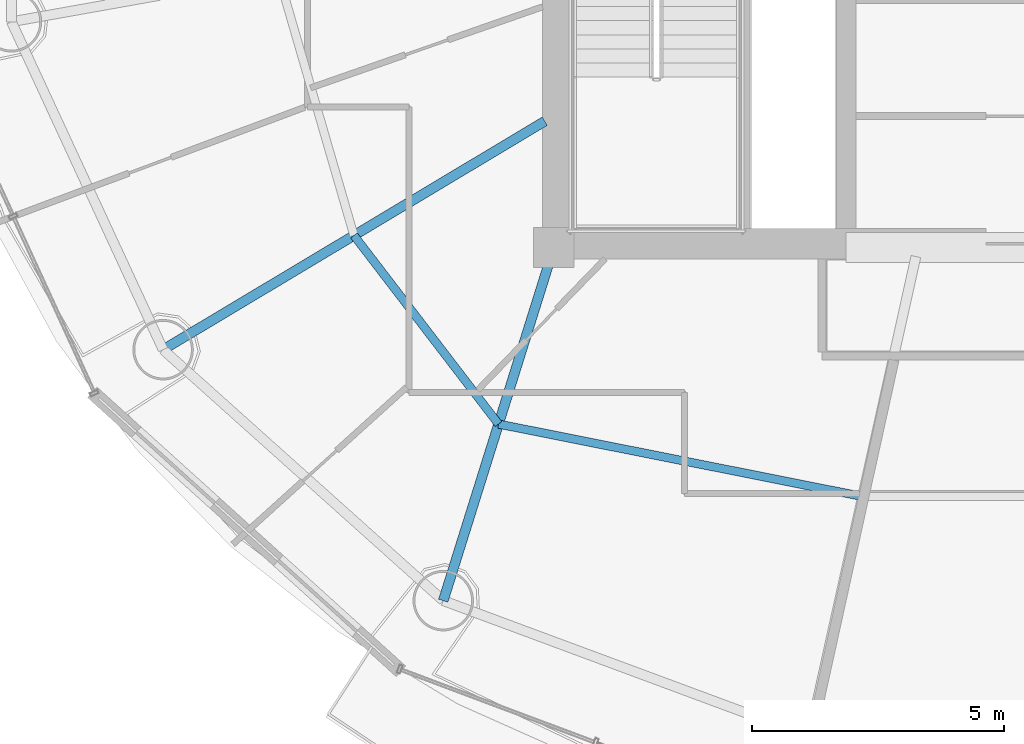
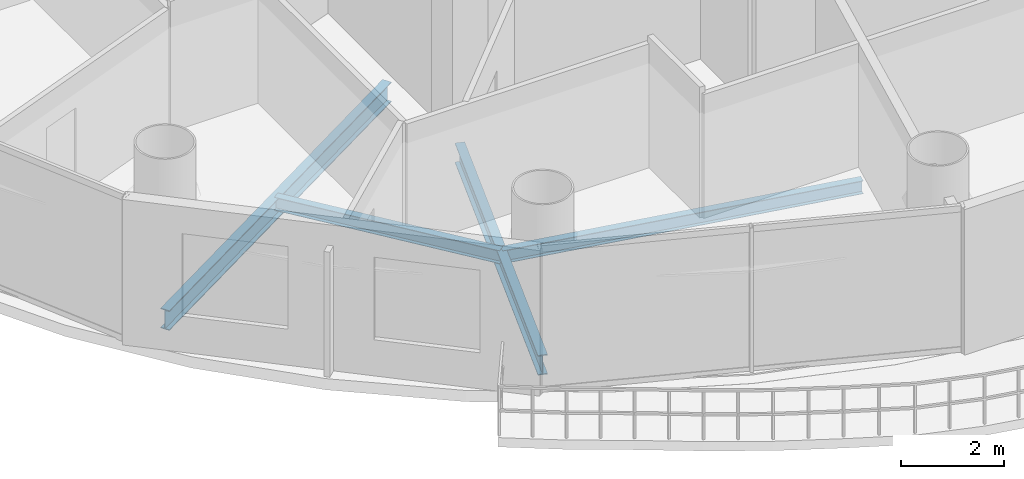
# One storey, part 4 of 26: 4 beams.
"""IFC4 building model written with IfcOpenShell, lengths in metres."""

from ifc_helpers import new_model, si_unit, direction, frame, origin, origin_2d, place, context, subcontext, project, spatial, i_section, extrude, material, material_profile, profile_set, type_object, element, save


model = new_model("IFC4")

# Units and contexts
model_context = context("Model", 3, precision=1e-05, world=origin(), true_north=direction((-0.2419218956, 0.970295726276)))
body_context = subcontext(model_context, "Body", "Model", "MODEL_VIEW")
ifc_project = project(units=[si_unit("LENGTHUNIT", "METRE"), si_unit("AREAUNIT", "SQUARE_METRE"), si_unit("VOLUMEUNIT", "CUBIC_METRE"), si_unit("PLANEANGLEUNIT", "RADIAN"), si_unit("MASSUNIT", "GRAM", prefix="KILO")], contexts=[model_context])

# Site, building, storey
site_placement = place(None, origin())
site = spatial("IfcSite", under=ifc_project, at=site_placement, CompositionType="ELEMENT")
building_placement = place(site_placement, origin())
building = spatial("IfcBuilding", under=site, at=building_placement, Name="Cobrevalo Terracotta Tower", CompositionType="ELEMENT")
storey_placement = place(building_placement, frame((0.0, 0.0, 224.5)))
storey = spatial("IfcBuildingStorey", under=building, at=storey_placement, Name="L59", CompositionType="ELEMENT", Elevation=224.5)

# Beams
ifc_material = material(Name="Steel S355", Category="steel")
ifc_material_profile_1 = material_profile(ifc_material, i_section(OverallWidth=0.194091796875, OverallDepth=0.468994140625, WebThickness=0.011474609375, FlangeThickness=0.0205078125, at=origin_2d()), Name="W 460x106")
ifc_profile_set_1 = profile_set([ifc_material_profile_1], Name="Steel S355")
beam_type_1 = type_object("IfcBeamType", Name="Structural Beam W 460x106 (Steel S355)", PredefinedType="BEAM", material=ifc_profile_set_1)
beam_1_placement = place(storey_placement, frame((21.245849609375, 16.77197265625, -0.49951171875), z_axis=(0.858046392192, 0.513572184651, 0.0), x_axis=(-0.513572184651, 0.858046392192, 0.0)))
element("IfcBeam", 1, at=beam_1_placement, inside=storey, type_object=beam_type_1, Name="L59 radial floor girder 10", PredefinedType="BEAM", context=body_context, shape_type="SweptSolid", body=[
    extrude(i_section(OverallWidth=0.194091796875, OverallDepth=0.468994140625, WebThickness=0.011474609375, FlangeThickness=0.0205078125, at=origin_2d()), origin(), (0.0, 0.0, 1.0), 8.827392578125),
])
beam_2_placement = place(storey_placement, frame((26.80517578125, 11.7919921875, -0.49951171875), z_axis=(0.298871212691, 0.954293454984, 0.0), x_axis=(-0.954293454984, 0.298871212691, 0.0)))
element("IfcBeam", 2, at=beam_2_placement, inside=storey, type_object=beam_type_1, Name="L59 radial floor girder 11", PredefinedType="BEAM", context=body_context, shape_type="SweptSolid", body=[
    extrude(i_section(OverallWidth=0.194091796875, OverallDepth=0.468994140625, WebThickness=0.011474609375, FlangeThickness=0.0205078125, at=origin_2d()), origin(), (0.0, 0.0, 1.0), 7.34375),
])
ifc_material_profile_2 = material_profile(ifc_material, i_section(OverallWidth=0.1650390625, OverallDepth=0.31005859375, WebThickness=0.005859375, FlangeThickness=0.009765625, at=origin_2d()), Name="W 310x38.7")
ifc_profile_set_2 = profile_set([ifc_material_profile_2], Name="Steel S355")
beam_type_2 = type_object("IfcBeamType", Name="Structural Joist W 310x38.7 (Steel S355)", PredefinedType="JOIST", material=ifc_profile_set_2)
beam_3_placement = place(storey_placement, frame((25.032958984375, 19.03857421875, -0.419921875), z_axis=(0.608464146296, -0.793581364872, 0.0), x_axis=(0.793581364872, 0.608464146296, 0.0)))
element("IfcBeam", 3, at=beam_3_placement, inside=storey, type_object=beam_type_2, Name="L59 circumferential secondary floor joist 10", PredefinedType="JOIST", context=body_context, shape_type="SweptSolid", body=[
    extrude(i_section(OverallWidth=0.1650390625, OverallDepth=0.31005859375, WebThickness=0.005859375, FlangeThickness=0.009765625, at=origin_2d()), origin(), (0.0, 0.0, 1.0), 4.716064453125),
])
beam_4_placement = place(storey_placement, frame((27.902587890625, 15.2958984375, -0.419921875), z_axis=(0.980768907748, -0.195172614871, 0.0), x_axis=(0.195172614871, 0.980768907748, 0.0)))
element("IfcBeam", 4, at=beam_4_placement, inside=storey, type_object=beam_type_2, Name="L59 circumferential secondary floor joist 11", PredefinedType="JOIST", context=body_context, shape_type="SweptSolid", body=[
    extrude(i_section(OverallWidth=0.1650390625, OverallDepth=0.31005859375, WebThickness=0.005859375, FlangeThickness=0.009765625, at=origin_2d()), origin(), (0.0, 0.0, 1.0), 7.365234375),
])

save(model, "model.ifc")
